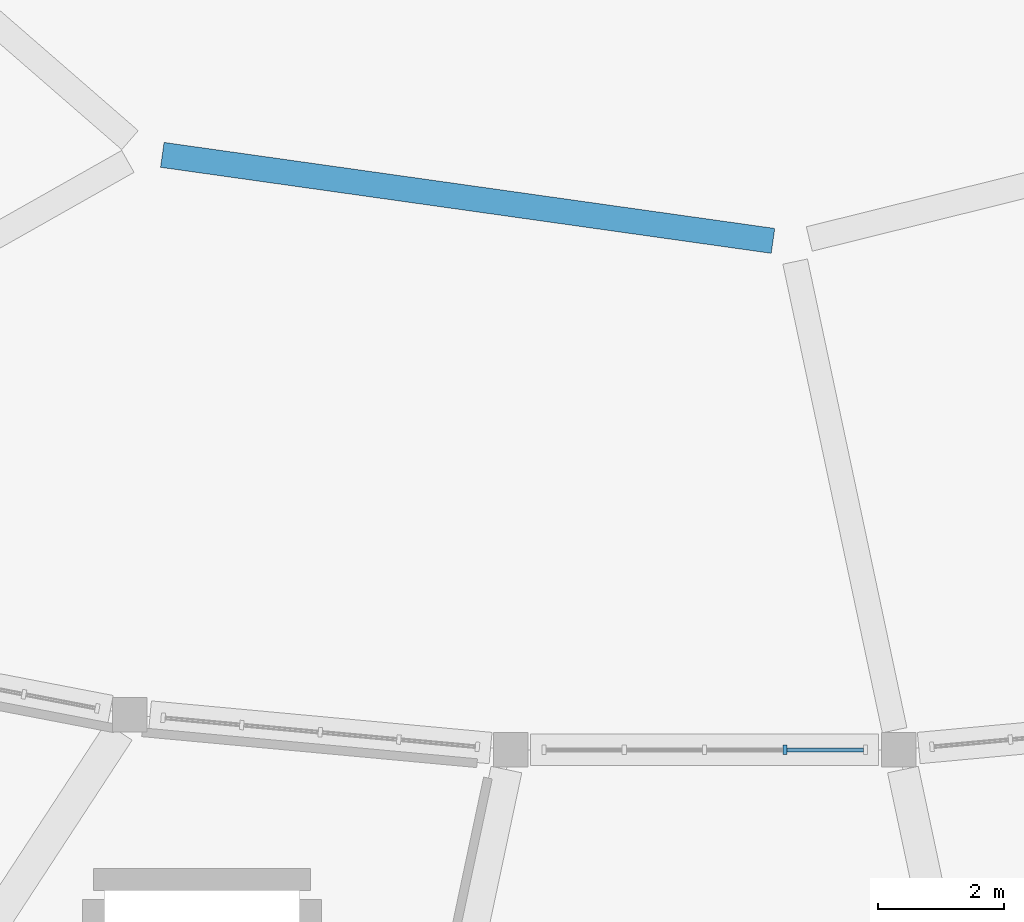
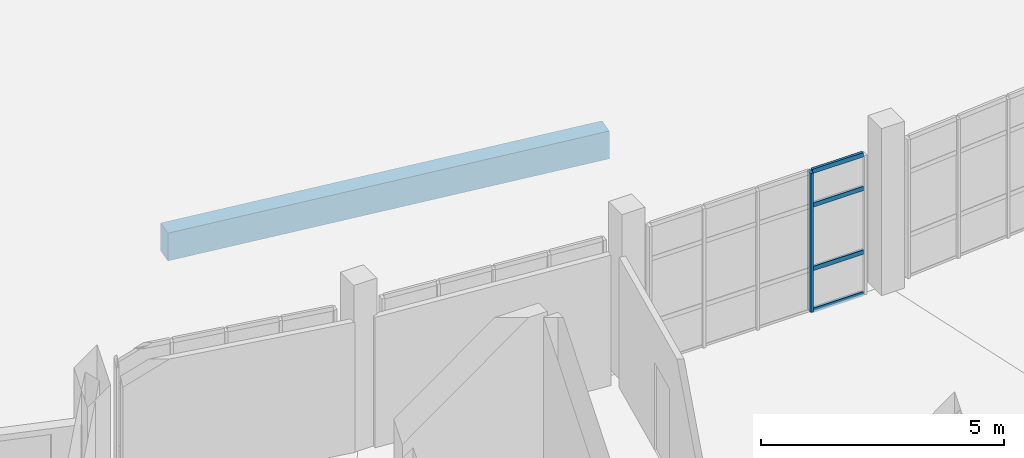
# One storey, part 40 of 142: 5 members, 1 beam, 1 element without a shape of its own.
"""IFC4 building model written with IfcOpenShell, lengths in metres."""

from ifc_helpers import new_model, si_unit, direction, frame, origin, origin_2d, place, context, subcontext, project, spatial, rectangle, extrude, material, layer, layer_set, material_profile, profile_set, type_object, element, aggregate, save


model = new_model("IFC4")

# Units and contexts
model_context = context("Model", 3, precision=1e-05, world=origin(), true_north=direction((0.0, 1.0)))
body_context = subcontext(model_context, "Body", "Model", "MODEL_VIEW")
ifc_project = project(units=[si_unit("LENGTHUNIT", "METRE"), si_unit("AREAUNIT", "SQUARE_METRE"), si_unit("VOLUMEUNIT", "CUBIC_METRE"), si_unit("PLANEANGLEUNIT", "RADIAN"), si_unit("MASSUNIT", "GRAM", prefix="KILO")], contexts=[model_context])

# Site, building, storey
site_placement = place(None, origin())
site = spatial("IfcSite", under=ifc_project, at=site_placement, CompositionType="ELEMENT")
building_placement = place(site_placement, origin())
building = spatial("IfcBuilding", under=site, at=building_placement, Name="Corvandel Quay Wholesale Market", CompositionType="ELEMENT")
storey_placement = place(building_placement, frame((0.0, 0.0, 10.800048828125)))
storey = spatial("IfcBuildingStorey", under=building, at=storey_placement, Name="L02", CompositionType="ELEMENT", Elevation=10.800048828125)

# Curtain wall, members
ifc_material_1 = material(Name="Bronze anodised aluminium and low-E insulated glazing", Category="aluminium")
ifc_layer = layer(ifc_material_1, 0.197998046875)
ifc_layer_set = layer_set([ifc_layer], Name="Bronze anodised aluminium and low-E insulated glazing")
curtain_wall_type = type_object("IfcCurtainWallType", Name="Stick Curtain Wall System CW09 H3810", PredefinedType="NOTDEFINED", material=ifc_layer_set)
curtain_wall_placement = place(storey_placement, origin())
curtain_wall = element("IfcCurtainWall", 1, at=curtain_wall_placement, inside=storey, type_object=curtain_wall_type, Name="Curtain Wall CW-0115", PredefinedType="NOTDEFINED")
ifc_material_2 = material(Name="Anodised aluminium 6063-T6", Category="aluminium")
ifc_material_profile_1 = material_profile(ifc_material_2, rectangle(XDim=0.06494140625, YDim=0.14990234375, at=origin_2d()), Name="ALU-MUL-65x150")
ifc_profile_set_1 = profile_set([ifc_material_profile_1], Name="Anodised aluminium 6063-T6")
member_type_1 = type_object("IfcMemberType", Name="Curtain Wall Mullion ML02 65x150", PredefinedType="MULLION", material=ifc_profile_set_1)
member_1_placement = place(storey_placement, frame((115.279541015625, 101.43994140625, 0.0), z_axis=(0.0, 0.0, 1.0), x_axis=(1.0, 0.0, 0.0)))
member_1 = element("IfcMember", 2, at=member_1_placement, type_object=member_type_1, Name="Mullion CW-0115-M03", PredefinedType="MULLION", context=body_context, shape_type="SweptSolid", body=[
    extrude(rectangle(XDim=0.06494140625, YDim=0.14990234375, at=origin_2d()), origin(), (0.0, 0.0, 1.0), 3.5),
])
ifc_material_profile_2 = material_profile(ifc_material_2, rectangle(XDim=0.06005859375, YDim=0.110107421875, at=origin_2d()), Name="ALU-TRN-60x110")
ifc_profile_set_2 = profile_set([ifc_material_profile_2], Name="Anodised aluminium 6063-T6")
member_type_2 = type_object("IfcMemberType", Name="Curtain Wall Transom TR02 60x110", PredefinedType="USERDEFINED", material=ifc_profile_set_2)
member_2_placement = place(storey_placement, frame((115.31201171875, 101.43994140625, 0.0), z_axis=(1.0, 0.0, 0.0), x_axis=(0.0, 1.0, 0.0)))
member_2 = element("IfcMember", 3, at=member_2_placement, type_object=member_type_2, Name="Transom CW-0115-T03-0", ObjectType="TRANSOM", PredefinedType="USERDEFINED", context=body_context, shape_type="SweptSolid", body=[
    extrude(rectangle(XDim=0.06005859375, YDim=0.110107421875, at=origin_2d()), origin(), (0.0, 0.0, 1.0), 1.214599609375),
])
member_3_placement = place(storey_placement, frame((115.31201171875, 101.43994140625, 1.050048828125), z_axis=(1.0, 0.0, 0.0), x_axis=(0.0, 1.0, 0.0)))
member_3 = element("IfcMember", 4, at=member_3_placement, type_object=member_type_2, Name="Transom CW-0115-T03-1", ObjectType="TRANSOM", PredefinedType="USERDEFINED", context=body_context, shape_type="SweptSolid", body=[
    extrude(rectangle(XDim=0.06005859375, YDim=0.110107421875, at=origin_2d()), origin(), (0.0, 0.0, 1.0), 1.214599609375),
])
member_4_placement = place(storey_placement, frame((115.31201171875, 101.43994140625, 2.64990234375), z_axis=(1.0, 0.0, 0.0), x_axis=(0.0, 1.0, 0.0)))
member_4 = element("IfcMember", 5, at=member_4_placement, type_object=member_type_2, Name="Transom CW-0115-T03-2", ObjectType="TRANSOM", PredefinedType="USERDEFINED", context=body_context, shape_type="SweptSolid", body=[
    extrude(rectangle(XDim=0.06005859375, YDim=0.110107421875, at=origin_2d()), origin(), (0.0, 0.0, 1.0), 1.214599609375),
])
member_5_placement = place(storey_placement, frame((115.31201171875, 101.43994140625, 3.5), z_axis=(1.0, 0.0, 0.0), x_axis=(0.0, 1.0, 0.0)))
member_5 = element("IfcMember", 6, at=member_5_placement, type_object=member_type_2, Name="Transom CW-0115-T03-3", ObjectType="TRANSOM", PredefinedType="USERDEFINED", context=body_context, shape_type="SweptSolid", body=[
    extrude(rectangle(XDim=0.06005859375, YDim=0.110107421875, at=origin_2d()), origin(), (0.0, 0.0, 1.0), 1.214599609375),
])
aggregate(curtain_wall, [member_1, member_2, member_3, member_4, member_5])

# Beam
ifc_material_3 = material(Name="Precast concrete C45/55", Category="concrete")
ifc_material_profile_3 = material_profile(ifc_material_3, rectangle(XDim=0.39990234375, YDim=0.699951171875, at=origin_2d()), Name="PC-GIR-400x700")
ifc_profile_set_3 = profile_set([ifc_material_profile_3], Name="Precast concrete C45/55")
beam_type = type_object("IfcBeamType", Name="Roof Deck Primary Girder G07 400x700", PredefinedType="USERDEFINED", material=ifc_profile_set_3)
beam_placement = place(storey_placement, frame((105.3681640625, 110.909912109375, -0.550048828125), z_axis=(0.990225682533, -0.139474361987, 0.0), x_axis=(0.139474361987, 0.990225682533, 0.0)))
element("IfcBeam", 7, at=beam_placement, inside=storey, type_object=beam_type, Name="Beam BM-0512", ObjectType="GIRDER", PredefinedType="USERDEFINED", context=body_context, shape_type="SweptSolid", body=[
    extrude(rectangle(XDim=0.39990234375, YDim=0.699951171875, at=origin_2d()), origin(), (0.0, 0.0, 1.0), 9.814697265625),
])

save(model, "model.ifc")
